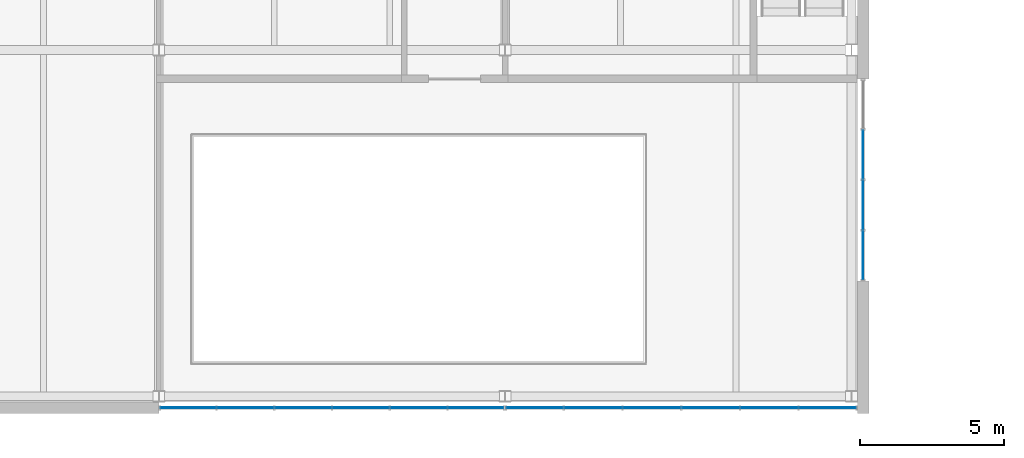
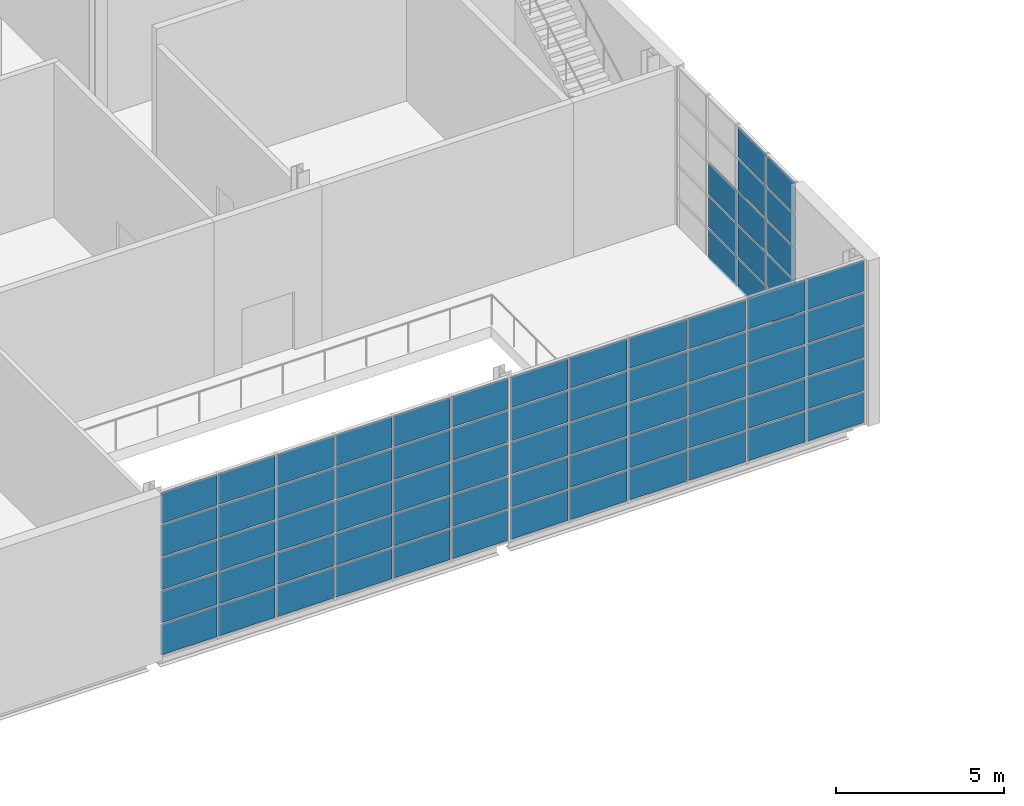
# One storey, part 18 of 30: 73 plates, 3 elements without a shape of their own.
"""IFC4 building model written with IfcOpenShell, lengths in metres."""

from ifc_helpers import new_model, si_unit, direction, frame, origin, origin_2d, place, context, subcontext, project, spatial, rectangle, extrude, material, layer, layer_set, type_object, element, aggregate, save


model = new_model("IFC4")

# Units and contexts
model_context = context("Model", 3, precision=1e-05, world=origin(), true_north=direction((0.0, 1.0)))
body_context = subcontext(model_context, "Body", "Model", "MODEL_VIEW")
ifc_project = project(units=[si_unit("LENGTHUNIT", "METRE"), si_unit("AREAUNIT", "SQUARE_METRE"), si_unit("VOLUMEUNIT", "CUBIC_METRE"), si_unit("PLANEANGLEUNIT", "RADIAN"), si_unit("MASSUNIT", "GRAM", prefix="KILO")], contexts=[model_context])

# Site, building, storey
site_placement = place(None, origin())
site = spatial("IfcSite", under=ifc_project, at=site_placement, CompositionType="ELEMENT")
building_placement = place(site_placement, origin())
building = spatial("IfcBuilding", under=site, at=building_placement, Name="Kitamizu Gate Tower and Museum", CompositionType="ELEMENT")
storey_placement = place(building_placement, frame((0.0, 0.0, 6.0)))
storey = spatial("IfcBuildingStorey", under=building, at=storey_placement, Name="L01", CompositionType="ELEMENT", Elevation=6.0)

# Curtain wall, plates
ifc_material_1 = material(Name="Bronze anodised aluminium frame, tinted triple glazing", Category="aluminium")
ifc_layer_1 = layer(ifc_material_1, 0.39990234375)
ifc_layer_set_1 = layer_set([ifc_layer_1], Name="Bronze anodised aluminium frame, tinted triple glazing")
curtain_wall_type = type_object("IfcCurtainWallType", Name="Museum atrium curtain wall D", PredefinedType="NOTDEFINED", material=ifc_layer_set_1)
curtain_wall_1_placement = place(storey_placement, origin())
curtain_wall_1 = element("IfcCurtainWall", 1, at=curtain_wall_1_placement, inside=storey, type_object=curtain_wall_type, Name="Atrium curtain wall Sm14mm2", PredefinedType="NOTDEFINED")
ifc_material_2 = material(Name="Tinted insulating glass", Category="glass")
ifc_layer_2 = layer(ifc_material_2, 0.028076171875)
ifc_layer_set_2 = layer_set([ifc_layer_2], Name="Tinted insulating glass")
plate_type = type_object("IfcPlateType", Name="Museum curtain wall glass panel 28", PredefinedType="CURTAIN_PANEL", material=ifc_layer_set_2)
plate_1_placement = place(storey_placement, frame((-12.985107421875, -26.39990234375, -0.33984375), z_axis=(0.0, 0.0, 1.0), x_axis=(1.0, 0.0, 0.0)))
plate_1 = element("IfcPlate", 2, at=plate_1_placement, type_object=plate_type, Name="CW-D panel 1.1", PredefinedType="CURTAIN_PANEL", context=body_context, shape_type="SweptSolid", body=[
    extrude(rectangle(XDim=1.909912109375, YDim=0.028076171875, at=origin_2d()), origin(), (0.0, 0.0, 1.0), 1.110107421875),
])
plate_2_placement = place(storey_placement, frame((-12.985107421875, -26.39990234375, 0.830078125), z_axis=(0.0, 0.0, 1.0), x_axis=(1.0, 0.0, 0.0)))
plate_2 = element("IfcPlate", 3, at=plate_2_placement, type_object=plate_type, Name="CW-D panel 1.2", PredefinedType="CURTAIN_PANEL", context=body_context, shape_type="SweptSolid", body=[
    extrude(rectangle(XDim=1.909912109375, YDim=0.028076171875, at=origin_2d()), origin(), (0.0, 0.0, 1.0), 1.139892578125),
])
plate_3_placement = place(storey_placement, frame((-12.985107421875, -26.39990234375, 2.0302734375), z_axis=(0.0, 0.0, 1.0), x_axis=(1.0, 0.0, 0.0)))
plate_3 = element("IfcPlate", 4, at=plate_3_placement, type_object=plate_type, Name="CW-D panel 1.3", PredefinedType="CURTAIN_PANEL", context=body_context, shape_type="SweptSolid", body=[
    extrude(rectangle(XDim=1.909912109375, YDim=0.028076171875, at=origin_2d()), origin(), (0.0, 0.0, 1.0), 1.139892578125),
])
plate_4_placement = place(storey_placement, frame((-12.985107421875, -26.39990234375, 3.22998046875), z_axis=(0.0, 0.0, 1.0), x_axis=(1.0, 0.0, 0.0)))
plate_4 = element("IfcPlate", 5, at=plate_4_placement, type_object=plate_type, Name="CW-D panel 1.4", PredefinedType="CURTAIN_PANEL", context=body_context, shape_type="SweptSolid", body=[
    extrude(rectangle(XDim=1.909912109375, YDim=0.028076171875, at=origin_2d()), origin(), (0.0, 0.0, 1.0), 1.139892578125),
])
plate_5_placement = place(storey_placement, frame((-12.985107421875, -26.39990234375, 4.43017578125), z_axis=(0.0, 0.0, 1.0), x_axis=(1.0, 0.0, 0.0)))
plate_5 = element("IfcPlate", 6, at=plate_5_placement, type_object=plate_type, Name="CW-D panel 1.5", PredefinedType="CURTAIN_PANEL", context=body_context, shape_type="SweptSolid", body=[
    extrude(rectangle(XDim=1.909912109375, YDim=0.028076171875, at=origin_2d()), origin(), (0.0, 0.0, 1.0), 1.110107421875),
])
plate_6_placement = place(storey_placement, frame((-11.0, -26.39990234375, -0.33984375), z_axis=(0.0, 0.0, 1.0), x_axis=(1.0, 0.0, 0.0)))
plate_6 = element("IfcPlate", 7, at=plate_6_placement, type_object=plate_type, Name="CW-D panel 2.1", PredefinedType="CURTAIN_PANEL", context=body_context, shape_type="SweptSolid", body=[
    extrude(rectangle(XDim=1.93994140625, YDim=0.028076171875, at=origin_2d()), origin(), (0.0, 0.0, 1.0), 1.110107421875),
])
plate_7_placement = place(storey_placement, frame((-11.0, -26.39990234375, 0.830078125), z_axis=(0.0, 0.0, 1.0), x_axis=(1.0, 0.0, 0.0)))
plate_7 = element("IfcPlate", 8, at=plate_7_placement, type_object=plate_type, Name="CW-D panel 2.2", PredefinedType="CURTAIN_PANEL", context=body_context, shape_type="SweptSolid", body=[
    extrude(rectangle(XDim=1.93994140625, YDim=0.028076171875, at=origin_2d()), origin(), (0.0, 0.0, 1.0), 1.139892578125),
])
plate_8_placement = place(storey_placement, frame((-11.0, -26.39990234375, 2.0302734375), z_axis=(0.0, 0.0, 1.0), x_axis=(1.0, 0.0, 0.0)))
plate_8 = element("IfcPlate", 9, at=plate_8_placement, type_object=plate_type, Name="CW-D panel 2.3", PredefinedType="CURTAIN_PANEL", context=body_context, shape_type="SweptSolid", body=[
    extrude(rectangle(XDim=1.93994140625, YDim=0.028076171875, at=origin_2d()), origin(), (0.0, 0.0, 1.0), 1.139892578125),
])
plate_9_placement = place(storey_placement, frame((-11.0, -26.39990234375, 3.22998046875), z_axis=(0.0, 0.0, 1.0), x_axis=(1.0, 0.0, 0.0)))
plate_9 = element("IfcPlate", 10, at=plate_9_placement, type_object=plate_type, Name="CW-D panel 2.4", PredefinedType="CURTAIN_PANEL", context=body_context, shape_type="SweptSolid", body=[
    extrude(rectangle(XDim=1.93994140625, YDim=0.028076171875, at=origin_2d()), origin(), (0.0, 0.0, 1.0), 1.139892578125),
])
plate_10_placement = place(storey_placement, frame((-11.0, -26.39990234375, 4.43017578125), z_axis=(0.0, 0.0, 1.0), x_axis=(1.0, 0.0, 0.0)))
plate_10 = element("IfcPlate", 11, at=plate_10_placement, type_object=plate_type, Name="CW-D panel 2.5", PredefinedType="CURTAIN_PANEL", context=body_context, shape_type="SweptSolid", body=[
    extrude(rectangle(XDim=1.93994140625, YDim=0.028076171875, at=origin_2d()), origin(), (0.0, 0.0, 1.0), 1.110107421875),
])
plate_11_placement = place(storey_placement, frame((-9.0, -26.39990234375, -0.33984375), z_axis=(0.0, 0.0, 1.0), x_axis=(1.0, 0.0, 0.0)))
plate_11 = element("IfcPlate", 12, at=plate_11_placement, type_object=plate_type, Name="CW-D panel 3.1", PredefinedType="CURTAIN_PANEL", context=body_context, shape_type="SweptSolid", body=[
    extrude(rectangle(XDim=1.93994140625, YDim=0.028076171875, at=origin_2d()), origin(), (0.0, 0.0, 1.0), 1.110107421875),
])
plate_12_placement = place(storey_placement, frame((-9.0, -26.39990234375, 0.830078125), z_axis=(0.0, 0.0, 1.0), x_axis=(1.0, 0.0, 0.0)))
plate_12 = element("IfcPlate", 13, at=plate_12_placement, type_object=plate_type, Name="CW-D panel 3.2", PredefinedType="CURTAIN_PANEL", context=body_context, shape_type="SweptSolid", body=[
    extrude(rectangle(XDim=1.93994140625, YDim=0.028076171875, at=origin_2d()), origin(), (0.0, 0.0, 1.0), 1.139892578125),
])
plate_13_placement = place(storey_placement, frame((-9.0, -26.39990234375, 2.0302734375), z_axis=(0.0, 0.0, 1.0), x_axis=(1.0, 0.0, 0.0)))
plate_13 = element("IfcPlate", 14, at=plate_13_placement, type_object=plate_type, Name="CW-D panel 3.3", PredefinedType="CURTAIN_PANEL", context=body_context, shape_type="SweptSolid", body=[
    extrude(rectangle(XDim=1.93994140625, YDim=0.028076171875, at=origin_2d()), origin(), (0.0, 0.0, 1.0), 1.139892578125),
])
plate_14_placement = place(storey_placement, frame((-9.0, -26.39990234375, 3.22998046875), z_axis=(0.0, 0.0, 1.0), x_axis=(1.0, 0.0, 0.0)))
plate_14 = element("IfcPlate", 15, at=plate_14_placement, type_object=plate_type, Name="CW-D panel 3.4", PredefinedType="CURTAIN_PANEL", context=body_context, shape_type="SweptSolid", body=[
    extrude(rectangle(XDim=1.93994140625, YDim=0.028076171875, at=origin_2d()), origin(), (0.0, 0.0, 1.0), 1.139892578125),
])
plate_15_placement = place(storey_placement, frame((-9.0, -26.39990234375, 4.43017578125), z_axis=(0.0, 0.0, 1.0), x_axis=(1.0, 0.0, 0.0)))
plate_15 = element("IfcPlate", 16, at=plate_15_placement, type_object=plate_type, Name="CW-D panel 3.5", PredefinedType="CURTAIN_PANEL", context=body_context, shape_type="SweptSolid", body=[
    extrude(rectangle(XDim=1.93994140625, YDim=0.028076171875, at=origin_2d()), origin(), (0.0, 0.0, 1.0), 1.110107421875),
])
plate_16_placement = place(storey_placement, frame((-7.0, -26.39990234375, -0.33984375), z_axis=(0.0, 0.0, 1.0), x_axis=(1.0, 0.0, 0.0)))
plate_16 = element("IfcPlate", 17, at=plate_16_placement, type_object=plate_type, Name="CW-D panel 4.1", PredefinedType="CURTAIN_PANEL", context=body_context, shape_type="SweptSolid", body=[
    extrude(rectangle(XDim=1.93994140625, YDim=0.028076171875, at=origin_2d()), origin(), (0.0, 0.0, 1.0), 1.110107421875),
])
plate_17_placement = place(storey_placement, frame((-7.0, -26.39990234375, 0.830078125), z_axis=(0.0, 0.0, 1.0), x_axis=(1.0, 0.0, 0.0)))
plate_17 = element("IfcPlate", 18, at=plate_17_placement, type_object=plate_type, Name="CW-D panel 4.2", PredefinedType="CURTAIN_PANEL", context=body_context, shape_type="SweptSolid", body=[
    extrude(rectangle(XDim=1.93994140625, YDim=0.028076171875, at=origin_2d()), origin(), (0.0, 0.0, 1.0), 1.139892578125),
])
plate_18_placement = place(storey_placement, frame((-7.0, -26.39990234375, 2.0302734375), z_axis=(0.0, 0.0, 1.0), x_axis=(1.0, 0.0, 0.0)))
plate_18 = element("IfcPlate", 19, at=plate_18_placement, type_object=plate_type, Name="CW-D panel 4.3", PredefinedType="CURTAIN_PANEL", context=body_context, shape_type="SweptSolid", body=[
    extrude(rectangle(XDim=1.93994140625, YDim=0.028076171875, at=origin_2d()), origin(), (0.0, 0.0, 1.0), 1.139892578125),
])
plate_19_placement = place(storey_placement, frame((-7.0, -26.39990234375, 3.22998046875), z_axis=(0.0, 0.0, 1.0), x_axis=(1.0, 0.0, 0.0)))
plate_19 = element("IfcPlate", 20, at=plate_19_placement, type_object=plate_type, Name="CW-D panel 4.4", PredefinedType="CURTAIN_PANEL", context=body_context, shape_type="SweptSolid", body=[
    extrude(rectangle(XDim=1.93994140625, YDim=0.028076171875, at=origin_2d()), origin(), (0.0, 0.0, 1.0), 1.139892578125),
])
plate_20_placement = place(storey_placement, frame((-7.0, -26.39990234375, 4.43017578125), z_axis=(0.0, 0.0, 1.0), x_axis=(1.0, 0.0, 0.0)))
plate_20 = element("IfcPlate", 21, at=plate_20_placement, type_object=plate_type, Name="CW-D panel 4.5", PredefinedType="CURTAIN_PANEL", context=body_context, shape_type="SweptSolid", body=[
    extrude(rectangle(XDim=1.93994140625, YDim=0.028076171875, at=origin_2d()), origin(), (0.0, 0.0, 1.0), 1.110107421875),
])
plate_21_placement = place(storey_placement, frame((-5.0, -26.39990234375, -0.33984375), z_axis=(0.0, 0.0, 1.0), x_axis=(1.0, 0.0, 0.0)))
plate_21 = element("IfcPlate", 22, at=plate_21_placement, type_object=plate_type, Name="CW-D panel 5.1", PredefinedType="CURTAIN_PANEL", context=body_context, shape_type="SweptSolid", body=[
    extrude(rectangle(XDim=1.93994140625, YDim=0.028076171875, at=origin_2d()), origin(), (0.0, 0.0, 1.0), 1.110107421875),
])
plate_22_placement = place(storey_placement, frame((-5.0, -26.39990234375, 0.830078125), z_axis=(0.0, 0.0, 1.0), x_axis=(1.0, 0.0, 0.0)))
plate_22 = element("IfcPlate", 23, at=plate_22_placement, type_object=plate_type, Name="CW-D panel 5.2", PredefinedType="CURTAIN_PANEL", context=body_context, shape_type="SweptSolid", body=[
    extrude(rectangle(XDim=1.93994140625, YDim=0.028076171875, at=origin_2d()), origin(), (0.0, 0.0, 1.0), 1.139892578125),
])
plate_23_placement = place(storey_placement, frame((-5.0, -26.39990234375, 2.0302734375), z_axis=(0.0, 0.0, 1.0), x_axis=(1.0, 0.0, 0.0)))
plate_23 = element("IfcPlate", 24, at=plate_23_placement, type_object=plate_type, Name="CW-D panel 5.3", PredefinedType="CURTAIN_PANEL", context=body_context, shape_type="SweptSolid", body=[
    extrude(rectangle(XDim=1.93994140625, YDim=0.028076171875, at=origin_2d()), origin(), (0.0, 0.0, 1.0), 1.139892578125),
])
plate_24_placement = place(storey_placement, frame((-5.0, -26.39990234375, 3.22998046875), z_axis=(0.0, 0.0, 1.0), x_axis=(1.0, 0.0, 0.0)))
plate_24 = element("IfcPlate", 25, at=plate_24_placement, type_object=plate_type, Name="CW-D panel 5.4", PredefinedType="CURTAIN_PANEL", context=body_context, shape_type="SweptSolid", body=[
    extrude(rectangle(XDim=1.93994140625, YDim=0.028076171875, at=origin_2d()), origin(), (0.0, 0.0, 1.0), 1.139892578125),
])
plate_25_placement = place(storey_placement, frame((-5.0, -26.39990234375, 4.43017578125), z_axis=(0.0, 0.0, 1.0), x_axis=(1.0, 0.0, 0.0)))
plate_25 = element("IfcPlate", 26, at=plate_25_placement, type_object=plate_type, Name="CW-D panel 5.5", PredefinedType="CURTAIN_PANEL", context=body_context, shape_type="SweptSolid", body=[
    extrude(rectangle(XDim=1.93994140625, YDim=0.028076171875, at=origin_2d()), origin(), (0.0, 0.0, 1.0), 1.110107421875),
])
plate_26_placement = place(storey_placement, frame((-3.014892578125, -26.39990234375, -0.33984375), z_axis=(0.0, 0.0, 1.0), x_axis=(1.0, 0.0, 0.0)))
plate_26 = element("IfcPlate", 27, at=plate_26_placement, type_object=plate_type, Name="CW-D panel 6.1", PredefinedType="CURTAIN_PANEL", context=body_context, shape_type="SweptSolid", body=[
    extrude(rectangle(XDim=1.909912109375, YDim=0.028076171875, at=origin_2d()), origin(), (0.0, 0.0, 1.0), 1.110107421875),
])
plate_27_placement = place(storey_placement, frame((-3.014892578125, -26.39990234375, 0.830078125), z_axis=(0.0, 0.0, 1.0), x_axis=(1.0, 0.0, 0.0)))
plate_27 = element("IfcPlate", 28, at=plate_27_placement, type_object=plate_type, Name="CW-D panel 6.2", PredefinedType="CURTAIN_PANEL", context=body_context, shape_type="SweptSolid", body=[
    extrude(rectangle(XDim=1.909912109375, YDim=0.028076171875, at=origin_2d()), origin(), (0.0, 0.0, 1.0), 1.139892578125),
])
plate_28_placement = place(storey_placement, frame((-3.014892578125, -26.39990234375, 2.0302734375), z_axis=(0.0, 0.0, 1.0), x_axis=(1.0, 0.0, 0.0)))
plate_28 = element("IfcPlate", 29, at=plate_28_placement, type_object=plate_type, Name="CW-D panel 6.3", PredefinedType="CURTAIN_PANEL", context=body_context, shape_type="SweptSolid", body=[
    extrude(rectangle(XDim=1.909912109375, YDim=0.028076171875, at=origin_2d()), origin(), (0.0, 0.0, 1.0), 1.139892578125),
])
plate_29_placement = place(storey_placement, frame((-3.014892578125, -26.39990234375, 3.22998046875), z_axis=(0.0, 0.0, 1.0), x_axis=(1.0, 0.0, 0.0)))
plate_29 = element("IfcPlate", 30, at=plate_29_placement, type_object=plate_type, Name="CW-D panel 6.4", PredefinedType="CURTAIN_PANEL", context=body_context, shape_type="SweptSolid", body=[
    extrude(rectangle(XDim=1.909912109375, YDim=0.028076171875, at=origin_2d()), origin(), (0.0, 0.0, 1.0), 1.139892578125),
])
plate_30_placement = place(storey_placement, frame((-3.014892578125, -26.39990234375, 4.43017578125), z_axis=(0.0, 0.0, 1.0), x_axis=(1.0, 0.0, 0.0)))
plate_30 = element("IfcPlate", 31, at=plate_30_placement, type_object=plate_type, Name="CW-D panel 6.5", PredefinedType="CURTAIN_PANEL", context=body_context, shape_type="SweptSolid", body=[
    extrude(rectangle(XDim=1.909912109375, YDim=0.028076171875, at=origin_2d()), origin(), (0.0, 0.0, 1.0), 1.110107421875),
])
aggregate(curtain_wall_1, [plate_1, plate_2, plate_3, plate_4, plate_5, plate_6, plate_7, plate_8, plate_9, plate_10, plate_11, plate_12, plate_13, plate_14, plate_15, plate_16, plate_17, plate_18, plate_19, plate_20, plate_21, plate_22, plate_23, plate_24, plate_25, plate_26, plate_27, plate_28, plate_29, plate_30])

curtain_wall_2_placement = place(storey_placement, origin())
curtain_wall_2 = element("IfcCurtainWall", 32, at=curtain_wall_2_placement, inside=storey, type_object=curtain_wall_type, Name="Atrium curtain wall Sm2m10.2", PredefinedType="NOTDEFINED")
plate_31_placement = place(storey_placement, frame((-0.96826171875, -26.39990234375, -0.33984375), z_axis=(0.0, 0.0, 1.0), x_axis=(1.0, 0.0, 0.0)))
plate_31 = element("IfcPlate", 33, at=plate_31_placement, type_object=plate_type, Name="CW-D panel 1.1", PredefinedType="CURTAIN_PANEL", context=body_context, shape_type="SweptSolid", body=[
    extrude(rectangle(XDim=1.943359375, YDim=0.028076171875, at=origin_2d()), origin(), (0.0, 0.0, 1.0), 1.110107421875),
])
plate_32_placement = place(storey_placement, frame((-0.96826171875, -26.39990234375, 0.830078125), z_axis=(0.0, 0.0, 1.0), x_axis=(1.0, 0.0, 0.0)))
plate_32 = element("IfcPlate", 34, at=plate_32_placement, type_object=plate_type, Name="CW-D panel 1.2", PredefinedType="CURTAIN_PANEL", context=body_context, shape_type="SweptSolid", body=[
    extrude(rectangle(XDim=1.943359375, YDim=0.028076171875, at=origin_2d()), origin(), (0.0, 0.0, 1.0), 1.139892578125),
])
plate_33_placement = place(storey_placement, frame((-0.96826171875, -26.39990234375, 2.0302734375), z_axis=(0.0, 0.0, 1.0), x_axis=(1.0, 0.0, 0.0)))
plate_33 = element("IfcPlate", 35, at=plate_33_placement, type_object=plate_type, Name="CW-D panel 1.3", PredefinedType="CURTAIN_PANEL", context=body_context, shape_type="SweptSolid", body=[
    extrude(rectangle(XDim=1.943359375, YDim=0.028076171875, at=origin_2d()), origin(), (0.0, 0.0, 1.0), 1.139892578125),
])
plate_34_placement = place(storey_placement, frame((-0.96826171875, -26.39990234375, 3.22998046875), z_axis=(0.0, 0.0, 1.0), x_axis=(1.0, 0.0, 0.0)))
plate_34 = element("IfcPlate", 36, at=plate_34_placement, type_object=plate_type, Name="CW-D panel 1.4", PredefinedType="CURTAIN_PANEL", context=body_context, shape_type="SweptSolid", body=[
    extrude(rectangle(XDim=1.943359375, YDim=0.028076171875, at=origin_2d()), origin(), (0.0, 0.0, 1.0), 1.139892578125),
])
plate_35_placement = place(storey_placement, frame((-0.96826171875, -26.39990234375, 4.43017578125), z_axis=(0.0, 0.0, 1.0), x_axis=(1.0, 0.0, 0.0)))
plate_35 = element("IfcPlate", 37, at=plate_35_placement, type_object=plate_type, Name="CW-D panel 1.5", PredefinedType="CURTAIN_PANEL", context=body_context, shape_type="SweptSolid", body=[
    extrude(rectangle(XDim=1.943359375, YDim=0.028076171875, at=origin_2d()), origin(), (0.0, 0.0, 1.0), 1.110107421875),
])
plate_36_placement = place(storey_placement, frame((1.050048828125, -26.39990234375, -0.33984375), z_axis=(0.0, 0.0, 1.0), x_axis=(1.0, 0.0, 0.0)))
plate_36 = element("IfcPlate", 38, at=plate_36_placement, type_object=plate_type, Name="CW-D panel 2.1", PredefinedType="CURTAIN_PANEL", context=body_context, shape_type="SweptSolid", body=[
    extrude(rectangle(XDim=1.973388671875, YDim=0.028076171875, at=origin_2d()), origin(), (0.0, 0.0, 1.0), 1.110107421875),
])
plate_37_placement = place(storey_placement, frame((1.050048828125, -26.39990234375, 0.830078125), z_axis=(0.0, 0.0, 1.0), x_axis=(1.0, 0.0, 0.0)))
plate_37 = element("IfcPlate", 39, at=plate_37_placement, type_object=plate_type, Name="CW-D panel 2.2", PredefinedType="CURTAIN_PANEL", context=body_context, shape_type="SweptSolid", body=[
    extrude(rectangle(XDim=1.973388671875, YDim=0.028076171875, at=origin_2d()), origin(), (0.0, 0.0, 1.0), 1.139892578125),
])
plate_38_placement = place(storey_placement, frame((1.050048828125, -26.39990234375, 2.0302734375), z_axis=(0.0, 0.0, 1.0), x_axis=(1.0, 0.0, 0.0)))
plate_38 = element("IfcPlate", 40, at=plate_38_placement, type_object=plate_type, Name="CW-D panel 2.3", PredefinedType="CURTAIN_PANEL", context=body_context, shape_type="SweptSolid", body=[
    extrude(rectangle(XDim=1.973388671875, YDim=0.028076171875, at=origin_2d()), origin(), (0.0, 0.0, 1.0), 1.139892578125),
])
plate_39_placement = place(storey_placement, frame((1.050048828125, -26.39990234375, 3.22998046875), z_axis=(0.0, 0.0, 1.0), x_axis=(1.0, 0.0, 0.0)))
plate_39 = element("IfcPlate", 41, at=plate_39_placement, type_object=plate_type, Name="CW-D panel 2.4", PredefinedType="CURTAIN_PANEL", context=body_context, shape_type="SweptSolid", body=[
    extrude(rectangle(XDim=1.973388671875, YDim=0.028076171875, at=origin_2d()), origin(), (0.0, 0.0, 1.0), 1.139892578125),
])
plate_40_placement = place(storey_placement, frame((1.050048828125, -26.39990234375, 4.43017578125), z_axis=(0.0, 0.0, 1.0), x_axis=(1.0, 0.0, 0.0)))
plate_40 = element("IfcPlate", 42, at=plate_40_placement, type_object=plate_type, Name="CW-D panel 2.5", PredefinedType="CURTAIN_PANEL", context=body_context, shape_type="SweptSolid", body=[
    extrude(rectangle(XDim=1.973388671875, YDim=0.028076171875, at=origin_2d()), origin(), (0.0, 0.0, 1.0), 1.110107421875),
])
plate_41_placement = place(storey_placement, frame((3.083251953125, -26.39990234375, -0.33984375), z_axis=(0.0, 0.0, 1.0), x_axis=(1.0, 0.0, 0.0)))
plate_41 = element("IfcPlate", 43, at=plate_41_placement, type_object=plate_type, Name="CW-D panel 3.1", PredefinedType="CURTAIN_PANEL", context=body_context, shape_type="SweptSolid", body=[
    extrude(rectangle(XDim=1.973388671875, YDim=0.028076171875, at=origin_2d()), origin(), (0.0, 0.0, 1.0), 1.110107421875),
])
plate_42_placement = place(storey_placement, frame((3.083251953125, -26.39990234375, 0.830078125), z_axis=(0.0, 0.0, 1.0), x_axis=(1.0, 0.0, 0.0)))
plate_42 = element("IfcPlate", 44, at=plate_42_placement, type_object=plate_type, Name="CW-D panel 3.2", PredefinedType="CURTAIN_PANEL", context=body_context, shape_type="SweptSolid", body=[
    extrude(rectangle(XDim=1.973388671875, YDim=0.028076171875, at=origin_2d()), origin(), (0.0, 0.0, 1.0), 1.139892578125),
])
plate_43_placement = place(storey_placement, frame((3.083251953125, -26.39990234375, 2.0302734375), z_axis=(0.0, 0.0, 1.0), x_axis=(1.0, 0.0, 0.0)))
plate_43 = element("IfcPlate", 45, at=plate_43_placement, type_object=plate_type, Name="CW-D panel 3.3", PredefinedType="CURTAIN_PANEL", context=body_context, shape_type="SweptSolid", body=[
    extrude(rectangle(XDim=1.973388671875, YDim=0.028076171875, at=origin_2d()), origin(), (0.0, 0.0, 1.0), 1.139892578125),
])
plate_44_placement = place(storey_placement, frame((3.083251953125, -26.39990234375, 3.22998046875), z_axis=(0.0, 0.0, 1.0), x_axis=(1.0, 0.0, 0.0)))
plate_44 = element("IfcPlate", 46, at=plate_44_placement, type_object=plate_type, Name="CW-D panel 3.4", PredefinedType="CURTAIN_PANEL", context=body_context, shape_type="SweptSolid", body=[
    extrude(rectangle(XDim=1.973388671875, YDim=0.028076171875, at=origin_2d()), origin(), (0.0, 0.0, 1.0), 1.139892578125),
])
plate_45_placement = place(storey_placement, frame((3.083251953125, -26.39990234375, 4.43017578125), z_axis=(0.0, 0.0, 1.0), x_axis=(1.0, 0.0, 0.0)))
plate_45 = element("IfcPlate", 47, at=plate_45_placement, type_object=plate_type, Name="CW-D panel 3.5", PredefinedType="CURTAIN_PANEL", context=body_context, shape_type="SweptSolid", body=[
    extrude(rectangle(XDim=1.973388671875, YDim=0.028076171875, at=origin_2d()), origin(), (0.0, 0.0, 1.0), 1.110107421875),
])
plate_46_placement = place(storey_placement, frame((5.11669921875, -26.39990234375, -0.33984375), z_axis=(0.0, 0.0, 1.0), x_axis=(1.0, 0.0, 0.0)))
plate_46 = element("IfcPlate", 48, at=plate_46_placement, type_object=plate_type, Name="CW-D panel 4.1", PredefinedType="CURTAIN_PANEL", context=body_context, shape_type="SweptSolid", body=[
    extrude(rectangle(XDim=1.973388671875, YDim=0.028076171875, at=origin_2d()), origin(), (0.0, 0.0, 1.0), 1.110107421875),
])
plate_47_placement = place(storey_placement, frame((5.11669921875, -26.39990234375, 0.830078125), z_axis=(0.0, 0.0, 1.0), x_axis=(1.0, 0.0, 0.0)))
plate_47 = element("IfcPlate", 49, at=plate_47_placement, type_object=plate_type, Name="CW-D panel 4.2", PredefinedType="CURTAIN_PANEL", context=body_context, shape_type="SweptSolid", body=[
    extrude(rectangle(XDim=1.973388671875, YDim=0.028076171875, at=origin_2d()), origin(), (0.0, 0.0, 1.0), 1.139892578125),
])
plate_48_placement = place(storey_placement, frame((5.11669921875, -26.39990234375, 2.0302734375), z_axis=(0.0, 0.0, 1.0), x_axis=(1.0, 0.0, 0.0)))
plate_48 = element("IfcPlate", 50, at=plate_48_placement, type_object=plate_type, Name="CW-D panel 4.3", PredefinedType="CURTAIN_PANEL", context=body_context, shape_type="SweptSolid", body=[
    extrude(rectangle(XDim=1.973388671875, YDim=0.028076171875, at=origin_2d()), origin(), (0.0, 0.0, 1.0), 1.139892578125),
])
plate_49_placement = place(storey_placement, frame((5.11669921875, -26.39990234375, 3.22998046875), z_axis=(0.0, 0.0, 1.0), x_axis=(1.0, 0.0, 0.0)))
plate_49 = element("IfcPlate", 51, at=plate_49_placement, type_object=plate_type, Name="CW-D panel 4.4", PredefinedType="CURTAIN_PANEL", context=body_context, shape_type="SweptSolid", body=[
    extrude(rectangle(XDim=1.973388671875, YDim=0.028076171875, at=origin_2d()), origin(), (0.0, 0.0, 1.0), 1.139892578125),
])
plate_50_placement = place(storey_placement, frame((5.11669921875, -26.39990234375, 4.43017578125), z_axis=(0.0, 0.0, 1.0), x_axis=(1.0, 0.0, 0.0)))
plate_50 = element("IfcPlate", 52, at=plate_50_placement, type_object=plate_type, Name="CW-D panel 4.5", PredefinedType="CURTAIN_PANEL", context=body_context, shape_type="SweptSolid", body=[
    extrude(rectangle(XDim=1.973388671875, YDim=0.028076171875, at=origin_2d()), origin(), (0.0, 0.0, 1.0), 1.110107421875),
])
plate_51_placement = place(storey_placement, frame((7.14990234375, -26.39990234375, -0.33984375), z_axis=(0.0, 0.0, 1.0), x_axis=(1.0, 0.0, 0.0)))
plate_51 = element("IfcPlate", 53, at=plate_51_placement, type_object=plate_type, Name="CW-D panel 5.1", PredefinedType="CURTAIN_PANEL", context=body_context, shape_type="SweptSolid", body=[
    extrude(rectangle(XDim=1.973388671875, YDim=0.028076171875, at=origin_2d()), origin(), (0.0, 0.0, 1.0), 1.110107421875),
])
plate_52_placement = place(storey_placement, frame((7.14990234375, -26.39990234375, 0.830078125), z_axis=(0.0, 0.0, 1.0), x_axis=(1.0, 0.0, 0.0)))
plate_52 = element("IfcPlate", 54, at=plate_52_placement, type_object=plate_type, Name="CW-D panel 5.2", PredefinedType="CURTAIN_PANEL", context=body_context, shape_type="SweptSolid", body=[
    extrude(rectangle(XDim=1.973388671875, YDim=0.028076171875, at=origin_2d()), origin(), (0.0, 0.0, 1.0), 1.139892578125),
])
plate_53_placement = place(storey_placement, frame((7.14990234375, -26.39990234375, 2.0302734375), z_axis=(0.0, 0.0, 1.0), x_axis=(1.0, 0.0, 0.0)))
plate_53 = element("IfcPlate", 55, at=plate_53_placement, type_object=plate_type, Name="CW-D panel 5.3", PredefinedType="CURTAIN_PANEL", context=body_context, shape_type="SweptSolid", body=[
    extrude(rectangle(XDim=1.973388671875, YDim=0.028076171875, at=origin_2d()), origin(), (0.0, 0.0, 1.0), 1.139892578125),
])
plate_54_placement = place(storey_placement, frame((7.14990234375, -26.39990234375, 3.22998046875), z_axis=(0.0, 0.0, 1.0), x_axis=(1.0, 0.0, 0.0)))
plate_54 = element("IfcPlate", 56, at=plate_54_placement, type_object=plate_type, Name="CW-D panel 5.4", PredefinedType="CURTAIN_PANEL", context=body_context, shape_type="SweptSolid", body=[
    extrude(rectangle(XDim=1.973388671875, YDim=0.028076171875, at=origin_2d()), origin(), (0.0, 0.0, 1.0), 1.139892578125),
])
plate_55_placement = place(storey_placement, frame((7.14990234375, -26.39990234375, 4.43017578125), z_axis=(0.0, 0.0, 1.0), x_axis=(1.0, 0.0, 0.0)))
plate_55 = element("IfcPlate", 57, at=plate_55_placement, type_object=plate_type, Name="CW-D panel 5.5", PredefinedType="CURTAIN_PANEL", context=body_context, shape_type="SweptSolid", body=[
    extrude(rectangle(XDim=1.973388671875, YDim=0.028076171875, at=origin_2d()), origin(), (0.0, 0.0, 1.0), 1.110107421875),
])
plate_56_placement = place(storey_placement, frame((9.168212890625, -26.39990234375, -0.33984375), z_axis=(0.0, 0.0, 1.0), x_axis=(1.0, 0.0, 0.0)))
plate_56 = element("IfcPlate", 58, at=plate_56_placement, type_object=plate_type, Name="CW-D panel 6.1", PredefinedType="CURTAIN_PANEL", context=body_context, shape_type="SweptSolid", body=[
    extrude(rectangle(XDim=1.943359375, YDim=0.028076171875, at=origin_2d()), origin(), (0.0, 0.0, 1.0), 1.110107421875),
])
plate_57_placement = place(storey_placement, frame((9.168212890625, -26.39990234375, 0.830078125), z_axis=(0.0, 0.0, 1.0), x_axis=(1.0, 0.0, 0.0)))
plate_57 = element("IfcPlate", 59, at=plate_57_placement, type_object=plate_type, Name="CW-D panel 6.2", PredefinedType="CURTAIN_PANEL", context=body_context, shape_type="SweptSolid", body=[
    extrude(rectangle(XDim=1.943359375, YDim=0.028076171875, at=origin_2d()), origin(), (0.0, 0.0, 1.0), 1.139892578125),
])
plate_58_placement = place(storey_placement, frame((9.168212890625, -26.39990234375, 2.0302734375), z_axis=(0.0, 0.0, 1.0), x_axis=(1.0, 0.0, 0.0)))
plate_58 = element("IfcPlate", 60, at=plate_58_placement, type_object=plate_type, Name="CW-D panel 6.3", PredefinedType="CURTAIN_PANEL", context=body_context, shape_type="SweptSolid", body=[
    extrude(rectangle(XDim=1.943359375, YDim=0.028076171875, at=origin_2d()), origin(), (0.0, 0.0, 1.0), 1.139892578125),
])
plate_59_placement = place(storey_placement, frame((9.168212890625, -26.39990234375, 3.22998046875), z_axis=(0.0, 0.0, 1.0), x_axis=(1.0, 0.0, 0.0)))
plate_59 = element("IfcPlate", 61, at=plate_59_placement, type_object=plate_type, Name="CW-D panel 6.4", PredefinedType="CURTAIN_PANEL", context=body_context, shape_type="SweptSolid", body=[
    extrude(rectangle(XDim=1.943359375, YDim=0.028076171875, at=origin_2d()), origin(), (0.0, 0.0, 1.0), 1.139892578125),
])
plate_60_placement = place(storey_placement, frame((9.168212890625, -26.39990234375, 4.43017578125), z_axis=(0.0, 0.0, 1.0), x_axis=(1.0, 0.0, 0.0)))
plate_60 = element("IfcPlate", 62, at=plate_60_placement, type_object=plate_type, Name="CW-D panel 6.5", PredefinedType="CURTAIN_PANEL", context=body_context, shape_type="SweptSolid", body=[
    extrude(rectangle(XDim=1.943359375, YDim=0.028076171875, at=origin_2d()), origin(), (0.0, 0.0, 1.0), 1.110107421875),
])
aggregate(curtain_wall_2, [plate_31, plate_32, plate_33, plate_34, plate_35, plate_36, plate_37, plate_38, plate_39, plate_40, plate_41, plate_42, plate_43, plate_44, plate_45, plate_46, plate_47, plate_48, plate_49, plate_50, plate_51, plate_52, plate_53, plate_54, plate_55, plate_56, plate_57, plate_58, plate_59, plate_60])

curtain_wall_3_placement = place(storey_placement, origin())
curtain_wall_3 = element("IfcCurtainWall", 63, at=curtain_wall_3_placement, inside=storey, type_object=curtain_wall_type, Name="Atrium curtain wall Em22mm15", PredefinedType="NOTDEFINED")
plate_61_placement = place(storey_placement, frame((10.39990234375, -21.110107421875, -0.33984375), z_axis=(0.0, 0.0, 1.0), x_axis=(0.0, 1.0, 0.0)))
plate_61 = element("IfcPlate", 64, at=plate_61_placement, type_object=plate_type, Name="CW-D panel 1.1", PredefinedType="CURTAIN_PANEL", context=body_context, shape_type="SweptSolid", body=[
    extrude(rectangle(XDim=1.659912109375, YDim=0.028076171875, at=origin_2d()), origin(), (0.0, 0.0, 1.0), 1.110107421875),
])
plate_62_placement = place(storey_placement, frame((10.39990234375, -21.110107421875, 0.830078125), z_axis=(0.0, 0.0, 1.0), x_axis=(0.0, 1.0, 0.0)))
plate_62 = element("IfcPlate", 65, at=plate_62_placement, type_object=plate_type, Name="CW-D panel 1.2", PredefinedType="CURTAIN_PANEL", context=body_context, shape_type="SweptSolid", body=[
    extrude(rectangle(XDim=1.659912109375, YDim=0.028076171875, at=origin_2d()), origin(), (0.0, 0.0, 1.0), 1.139892578125),
])
plate_63_placement = place(storey_placement, frame((10.39990234375, -21.110107421875, 2.0302734375), z_axis=(0.0, 0.0, 1.0), x_axis=(0.0, 1.0, 0.0)))
plate_63 = element("IfcPlate", 66, at=plate_63_placement, type_object=plate_type, Name="CW-D panel 1.3", PredefinedType="CURTAIN_PANEL", context=body_context, shape_type="SweptSolid", body=[
    extrude(rectangle(XDim=1.659912109375, YDim=0.028076171875, at=origin_2d()), origin(), (0.0, 0.0, 1.0), 1.139892578125),
])
plate_64_placement = place(storey_placement, frame((10.39990234375, -21.110107421875, 3.22998046875), z_axis=(0.0, 0.0, 1.0), x_axis=(0.0, 1.0, 0.0)))
plate_64 = element("IfcPlate", 67, at=plate_64_placement, type_object=plate_type, Name="CW-D panel 1.4", PredefinedType="CURTAIN_PANEL", context=body_context, shape_type="SweptSolid", body=[
    extrude(rectangle(XDim=1.659912109375, YDim=0.028076171875, at=origin_2d()), origin(), (0.0, 0.0, 1.0), 1.139892578125),
])
plate_65_placement = place(storey_placement, frame((10.39990234375, -21.110107421875, 4.43017578125), z_axis=(0.0, 0.0, 1.0), x_axis=(0.0, 1.0, 0.0)))
plate_65 = element("IfcPlate", 68, at=plate_65_placement, type_object=plate_type, Name="CW-D panel 1.5", PredefinedType="CURTAIN_PANEL", context=body_context, shape_type="SweptSolid", body=[
    extrude(rectangle(XDim=1.659912109375, YDim=0.028076171875, at=origin_2d()), origin(), (0.0, 0.0, 1.0), 1.110107421875),
])
plate_66_placement = place(storey_placement, frame((10.39990234375, -19.375, -0.33984375), z_axis=(0.0, 0.0, 1.0), x_axis=(0.0, 1.0, 0.0)))
plate_66 = element("IfcPlate", 69, at=plate_66_placement, type_object=plate_type, Name="CW-D panel 2.1", PredefinedType="CURTAIN_PANEL", context=body_context, shape_type="SweptSolid", body=[
    extrude(rectangle(XDim=1.68994140625, YDim=0.028076171875, at=origin_2d()), origin(), (0.0, 0.0, 1.0), 1.110107421875),
])
plate_67_placement = place(storey_placement, frame((10.39990234375, -19.375, 0.830078125), z_axis=(0.0, 0.0, 1.0), x_axis=(0.0, 1.0, 0.0)))
plate_67 = element("IfcPlate", 70, at=plate_67_placement, type_object=plate_type, Name="CW-D panel 2.2", PredefinedType="CURTAIN_PANEL", context=body_context, shape_type="SweptSolid", body=[
    extrude(rectangle(XDim=1.68994140625, YDim=0.028076171875, at=origin_2d()), origin(), (0.0, 0.0, 1.0), 1.139892578125),
])
plate_68_placement = place(storey_placement, frame((10.39990234375, -19.375, 2.0302734375), z_axis=(0.0, 0.0, 1.0), x_axis=(0.0, 1.0, 0.0)))
plate_68 = element("IfcPlate", 71, at=plate_68_placement, type_object=plate_type, Name="CW-D panel 2.3", PredefinedType="CURTAIN_PANEL", context=body_context, shape_type="SweptSolid", body=[
    extrude(rectangle(XDim=1.68994140625, YDim=0.028076171875, at=origin_2d()), origin(), (0.0, 0.0, 1.0), 1.139892578125),
])
plate_69_placement = place(storey_placement, frame((10.39990234375, -19.375, 3.22998046875), z_axis=(0.0, 0.0, 1.0), x_axis=(0.0, 1.0, 0.0)))
plate_69 = element("IfcPlate", 72, at=plate_69_placement, type_object=plate_type, Name="CW-D panel 2.4", PredefinedType="CURTAIN_PANEL", context=body_context, shape_type="SweptSolid", body=[
    extrude(rectangle(XDim=1.68994140625, YDim=0.028076171875, at=origin_2d()), origin(), (0.0, 0.0, 1.0), 1.139892578125),
])
plate_70_placement = place(storey_placement, frame((10.39990234375, -19.375, 4.43017578125), z_axis=(0.0, 0.0, 1.0), x_axis=(0.0, 1.0, 0.0)))
plate_70 = element("IfcPlate", 73, at=plate_70_placement, type_object=plate_type, Name="CW-D panel 2.5", PredefinedType="CURTAIN_PANEL", context=body_context, shape_type="SweptSolid", body=[
    extrude(rectangle(XDim=1.68994140625, YDim=0.028076171875, at=origin_2d()), origin(), (0.0, 0.0, 1.0), 1.110107421875),
])
plate_71_placement = place(storey_placement, frame((10.39990234375, -17.625, -0.33984375), z_axis=(0.0, 0.0, 1.0), x_axis=(0.0, 1.0, 0.0)))
plate_71 = element("IfcPlate", 74, at=plate_71_placement, type_object=plate_type, Name="CW-D panel 3.1", PredefinedType="CURTAIN_PANEL", context=body_context, shape_type="SweptSolid", body=[
    extrude(rectangle(XDim=1.68994140625, YDim=0.028076171875, at=origin_2d()), origin(), (0.0, 0.0, 1.0), 1.110107421875),
])
plate_72_placement = place(storey_placement, frame((10.39990234375, -17.625, 0.830078125), z_axis=(0.0, 0.0, 1.0), x_axis=(0.0, 1.0, 0.0)))
plate_72 = element("IfcPlate", 75, at=plate_72_placement, type_object=plate_type, Name="CW-D panel 3.2", PredefinedType="CURTAIN_PANEL", context=body_context, shape_type="SweptSolid", body=[
    extrude(rectangle(XDim=1.68994140625, YDim=0.028076171875, at=origin_2d()), origin(), (0.0, 0.0, 1.0), 1.139892578125),
])
plate_73_placement = place(storey_placement, frame((10.39990234375, -17.625, 2.0302734375), z_axis=(0.0, 0.0, 1.0), x_axis=(0.0, 1.0, 0.0)))
plate_73 = element("IfcPlate", 76, at=plate_73_placement, type_object=plate_type, Name="CW-D panel 3.3", PredefinedType="CURTAIN_PANEL", context=body_context, shape_type="SweptSolid", body=[
    extrude(rectangle(XDim=1.68994140625, YDim=0.028076171875, at=origin_2d()), origin(), (0.0, 0.0, 1.0), 1.139892578125),
])
aggregate(curtain_wall_3, [plate_61, plate_62, plate_63, plate_64, plate_65, plate_66, plate_67, plate_68, plate_69, plate_70, plate_71, plate_72, plate_73])

save(model, "model.ifc")
